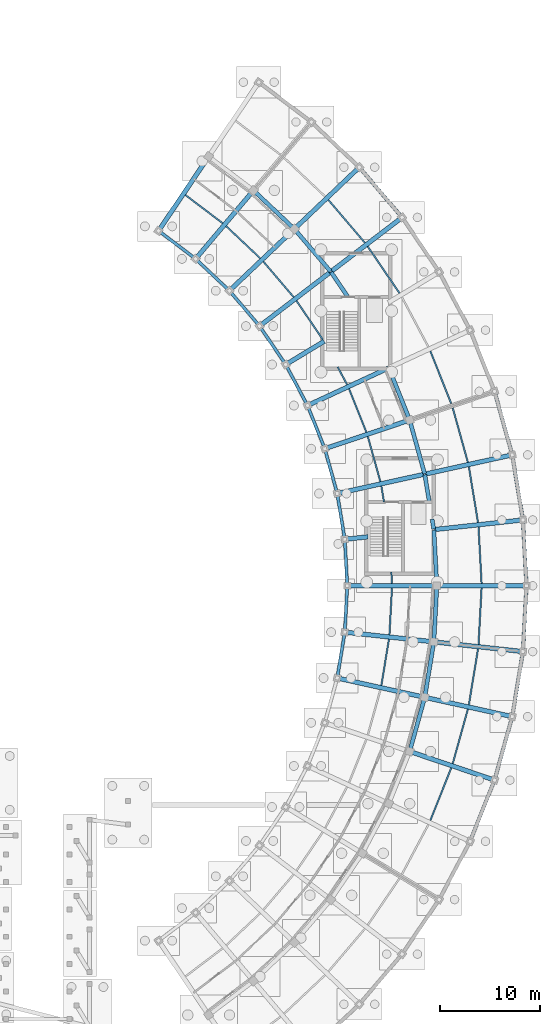
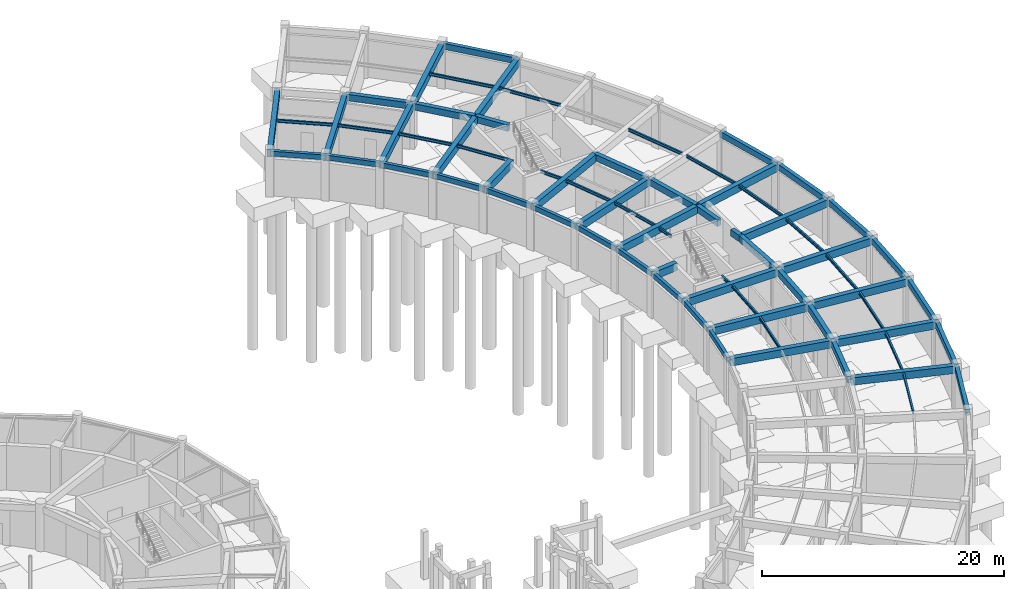
# One storey, part 16 of 42: 71 beams.
"""IFC4 building model written with IfcOpenShell, lengths in metres."""

from ifc_helpers import new_model, si_unit, direction, frame, origin, origin_2d, place, context, subcontext, project, spatial, rectangle, i_section, extrude, material, material_profile, profile_set, type_object, element, save


model = new_model("IFC4")

# Units and contexts
model_context = context("Model", 3, precision=1e-05, world=origin(), true_north=direction((0.0, 1.0)))
body_context = subcontext(model_context, "Body", "Model", "MODEL_VIEW")
ifc_project = project(units=[si_unit("LENGTHUNIT", "METRE"), si_unit("AREAUNIT", "SQUARE_METRE"), si_unit("VOLUMEUNIT", "CUBIC_METRE"), si_unit("PLANEANGLEUNIT", "RADIAN"), si_unit("MASSUNIT", "GRAM", prefix="KILO")], contexts=[model_context])

# Site, building, storey
site_placement = place(None, origin())
site = spatial("IfcSite", under=ifc_project, at=site_placement, CompositionType="ELEMENT")
building_placement = place(site_placement, origin())
building = spatial("IfcBuilding", under=site, at=building_placement, Name="Tarnveldt Headland Concert Hall", CompositionType="ELEMENT")
storey_placement = place(building_placement, frame((0.0, 0.0, -4.800048828125)))
storey = spatial("IfcBuildingStorey", under=building, at=storey_placement, Name="B1", CompositionType="ELEMENT", Elevation=-4.800048828125)

# Beams
ifc_material_1 = material(Name="Concrete C40/50", Category="concrete")
ifc_material_profile_1 = material_profile(ifc_material_1, rectangle(XDim=0.39990234375, YDim=0.64990234375, at=origin_2d()), Name="RC 400x650", Category="concrete")
ifc_profile_set_1 = profile_set([ifc_material_profile_1], Name="Concrete C40/50")
beam_type_1 = type_object("IfcBeamType", Name="CB-400x650", PredefinedType="BEAM", material=ifc_profile_set_1)
for number, where, z_axis, x_axis, name in (
    (1, (166.78076171875, 43.41455078125, 4.175048828125), (0.268165788284, 0.963372778313, 0.0), (-0.963372778313, 0.268165788284, 0.0), "Framing beam B1-127"),
    (2, (168.2880859375, 48.853515625, 4.175048828125), (0.16219127416, 0.986759337724, 0.0), (-0.986759337724, 0.16219127416, 0.0), "Framing beam B1-134"),
    (3, (169.197021484375, 54.423828125, 4.175048828125), (0.054224156809, 0.998528788177, 0.0), (-0.998528788177, 0.054224156809, 0.0), "Framing beam B1-141"),
    (4, (169.49658203125, 60.059814453125, 4.175048828125), (-0.054224156809, 0.998528788177, 0.0), (-0.998528788177, -0.054224156809, 0.0), "Framing beam B1-148"),
):
    element("IfcBeam", number, at=place(storey_placement, frame(where, z_axis=z_axis, x_axis=x_axis)), inside=storey, type_object=beam_type_1, Name=name, PredefinedType="BEAM", context=body_context, shape_type="SweptSolid", body=[
        extrude(rectangle(XDim=0.39990234375, YDim=0.64990234375, at=origin_2d()), origin(), (0.0, 0.0, 1.0), 5.5244140625),
    ])
beam_1_placement = place(storey_placement, frame((169.18408203125, 65.6953125, 4.175048828125), z_axis=(-0.16224524411, 0.986750465297, 0.0), x_axis=(-0.986750465297, -0.16224524411, 0.0)))
element("IfcBeam", 5, at=beam_1_placement, inside=storey, type_object=beam_type_1, Name="Framing beam B1-155", PredefinedType="BEAM", context=body_context, shape_type="SweptSolid", body=[
    extrude(rectangle(XDim=0.39990234375, YDim=0.64990234375, at=origin_2d()), origin(), (0.0, 0.0, 1.0), 1.01123046875),
])
beam_2_placement = place(storey_placement, frame((168.739501953125, 68.39990234375, 4.175048828125), z_axis=(-0.162179692028, 0.986761241382, 0.0), x_axis=(-0.986761241382, -0.162179692028, 0.0)))
element("IfcBeam", 6, at=beam_2_placement, inside=storey, type_object=beam_type_1, Name="Framing beam B1-156", PredefinedType="BEAM", context=body_context, shape_type="SweptSolid", body=[
    extrude(rectangle(XDim=0.39990234375, YDim=0.64990234375, at=origin_2d()), origin(), (0.0, 0.0, 1.0), 2.783447265625),
])
for number, where, z_axis, x_axis, name in (
    (7, (168.26220703125, 71.263427734375, 4.175048828125), (-0.268165788284, 0.963372778313, 0.0), (-0.963372778313, -0.268165788284, 0.0), "Framing beam B1-163"),
    (8, (166.7421875, 76.698974609375, 4.175048828125), (-0.370963937019, 0.928647272882, 0.0), (-0.928647272882, -0.370963937019, 0.0), "Framing beam B1-170"),
):
    element("IfcBeam", number, at=place(storey_placement, frame(where, z_axis=z_axis, x_axis=x_axis)), inside=storey, type_object=beam_type_1, Name=name, PredefinedType="BEAM", context=body_context, shape_type="SweptSolid", body=[
        extrude(rectangle(XDim=0.39990234375, YDim=0.64990234375, at=origin_2d()), origin(), (0.0, 0.0, 1.0), 5.5244140625),
    ])
beam_3_placement = place(storey_placement, frame((160.57080078125, 89.0, 4.175048828125), z_axis=(-0.562434400968, 0.826841910288, 0.0), x_axis=(-0.826841910288, -0.562434400968, 0.0)))
element("IfcBeam", 9, at=beam_3_placement, inside=storey, type_object=beam_type_1, Name="Framing beam B1-183", PredefinedType="BEAM", context=body_context, shape_type="SweptSolid", body=[
    extrude(rectangle(XDim=0.39990234375, YDim=0.64990234375, at=origin_2d()), origin(), (0.0, 0.0, 1.0), 3.00634765625),
])
for number, where, z_axis, x_axis, name in (
    (10, (158.807373046875, 91.581298828125, 4.175048828125), (-0.648725364662, 0.761022602322, 0.0), (-0.761022602322, -0.648725364662, 0.0), "Framing beam B1-190"),
    (11, (155.14111328125, 95.872314453125, 4.175048828125), (-0.727401560734, 0.686212044081, 0.0), (-0.686212044081, -0.727401560734, 0.0), "Framing beam B1-197"),
):
    element("IfcBeam", number, at=place(storey_placement, frame(where, z_axis=z_axis, x_axis=x_axis)), inside=storey, type_object=beam_type_1, Name=name, PredefinedType="BEAM", context=body_context, shape_type="SweptSolid", body=[
        extrude(rectangle(XDim=0.39990234375, YDim=0.64990234375, at=origin_2d()), origin(), (0.0, 0.0, 1.0), 5.524169921875),
    ])
ifc_material_profile_2 = material_profile(ifc_material_1, rectangle(XDim=0.449951171875, YDim=0.75, at=origin_2d()), Name="RC 450x750", Category="concrete")
ifc_profile_set_2 = profile_set([ifc_material_profile_2], Name="Concrete C40/50")
beam_type_2 = type_object("IfcBeamType", Name="CB-450x750", PredefinedType="BEAM", material=ifc_profile_set_2)
for number, where, z_axis, x_axis, name in (
    (12, (166.8212890625, 43.337646484375, 4.125), (0.947394358085, -0.320068633686, 0.0), (0.320068633686, 0.947394358085, 0.0), "Framing beam B1-125"),
    (13, (159.54833984375, 50.720947265625, 4.125), (0.976505569656, -0.215492163268, 0.0), (0.215492163268, 0.976505569656, 0.0), "Framing beam B1-131"),
    (14, (168.3369140625, 48.781494140625, 4.125), (0.976505569656, -0.215492163268, 0.0), (0.215492163268, 0.976505569656, 0.0), "Framing beam B1-132"),
):
    element("IfcBeam", number, at=place(storey_placement, frame(where, z_axis=z_axis, x_axis=x_axis)), inside=storey, type_object=beam_type_2, Name=name, PredefinedType="BEAM", context=body_context, shape_type="SweptSolid", body=[
        extrude(rectangle(XDim=0.449951171875, YDim=0.75, at=origin_2d()), origin(), (0.0, 0.0, 1.0), 8.880126953125),
    ])
for number, where, z_axis, x_axis, name in (
    (15, (160.306396484375, 55.3330078125, 4.125), (0.994109611255, -0.108379337562, 0.0), (0.108379337562, 0.994109611255, 0.0), "Framing beam B1-138"),
    (16, (169.25341796875, 54.357421875, 4.125), (0.994109611255, -0.108379337562, 0.0), (0.108379337562, 0.994109611255, 0.0), "Framing beam B1-139"),
    (17, (160.56005859375, 60.0, 4.125), (1.0, 0.0, 0.0), (0.0, 1.0, 0.0), "Framing beam B1-145"),
    (18, (169.56005859375, 60.0, 4.125), (1.0, 0.0, 0.0), (0.0, 1.0, 0.0), "Framing beam B1-146"),
):
    element("IfcBeam", number, at=place(storey_placement, frame(where, z_axis=z_axis, x_axis=x_axis)), inside=storey, type_object=beam_type_2, Name=name, PredefinedType="BEAM", context=body_context, shape_type="SweptSolid", body=[
        extrude(rectangle(XDim=0.449951171875, YDim=0.75, at=origin_2d()), origin(), (0.0, 0.0, 1.0), 8.8798828125),
    ])
beam_4_placement = place(storey_placement, frame((160.306396484375, 64.6669921875, 4.125), z_axis=(0.994101758136, 0.108451346104, 0.0), x_axis=(-0.108451346104, 0.994101758136, 0.0)))
element("IfcBeam", 19, at=beam_4_placement, inside=storey, type_object=beam_type_2, Name="Framing beam B1-152", PredefinedType="BEAM", context=body_context, shape_type="SweptSolid", body=[
    extrude(rectangle(XDim=0.449951171875, YDim=0.75, at=origin_2d()), origin(), (0.0, 0.0, 1.0), 2.287109375),
])
beam_5_placement = place(storey_placement, frame((169.25341796875, 65.642578125, 4.125), z_axis=(0.994109611255, 0.108379337562, 0.0), x_axis=(-0.108379337562, 0.994109611255, 0.0)))
element("IfcBeam", 20, at=beam_5_placement, inside=storey, type_object=beam_type_2, Name="Framing beam B1-153", PredefinedType="BEAM", context=body_context, shape_type="SweptSolid", body=[
    extrude(rectangle(XDim=0.449951171875, YDim=0.75, at=origin_2d()), origin(), (0.0, 0.0, 1.0), 8.8798828125),
])
for number, where, z_axis, x_axis, name in (
    (21, (159.54833984375, 69.279052734375, 4.125), (0.976505569656, 0.215492163268, 0.0), (-0.215492163268, 0.976505569656, 0.0), "Framing beam B1-160"),
    (22, (168.3369140625, 71.218505859375, 4.125), (0.976505569656, 0.215492163268, 0.0), (-0.215492163268, 0.976505569656, 0.0), "Framing beam B1-161"),
):
    element("IfcBeam", number, at=place(storey_placement, frame(where, z_axis=z_axis, x_axis=x_axis)), inside=storey, type_object=beam_type_2, Name=name, PredefinedType="BEAM", context=body_context, shape_type="SweptSolid", body=[
        extrude(rectangle(XDim=0.449951171875, YDim=0.75, at=origin_2d()), origin(), (0.0, 0.0, 1.0), 8.880126953125),
    ])
beam_6_placement = place(storey_placement, frame((158.294921875, 73.781982421875, 4.125), z_axis=(0.947399878297, 0.320052293545, 0.0), x_axis=(-0.320052293545, 0.947399878297, 0.0)))
element("IfcBeam", 23, at=beam_6_placement, inside=storey, type_object=beam_type_2, Name="Framing beam B1-167", PredefinedType="BEAM", context=body_context, shape_type="SweptSolid", body=[
    extrude(rectangle(XDim=0.449951171875, YDim=0.75, at=origin_2d()), origin(), (0.0, 0.0, 1.0), 8.8798828125),
])
beam_7_placement = place(storey_placement, frame((156.560791015625, 78.122314453125, 4.125), z_axis=(0.907136064141, 0.420837452153, 0.0), x_axis=(-0.420837452153, 0.907136064141, 0.0)))
element("IfcBeam", 24, at=beam_7_placement, inside=storey, type_object=beam_type_2, Name="Framing beam B1-174", PredefinedType="BEAM", context=body_context, shape_type="SweptSolid", body=[
    extrude(rectangle(XDim=0.449951171875, YDim=0.75, at=origin_2d()), origin(), (0.0, 0.0, 1.0), 8.880126953125),
])
beam_8_placement = place(storey_placement, frame((154.36669921875, 82.2490234375, 4.125), z_axis=(0.856145433593, 0.516734938375, 0.0), x_axis=(-0.516734938375, 0.856145433593, 0.0)))
element("IfcBeam", 25, at=beam_8_placement, inside=storey, type_object=beam_type_2, Name="Framing beam B1-180", PredefinedType="BEAM", context=body_context, shape_type="SweptSolid", body=[
    extrude(rectangle(XDim=0.449951171875, YDim=0.75, at=origin_2d()), origin(), (0.0, 0.0, 1.0), 4.453857421875),
])
beam_9_placement = place(storey_placement, frame((151.73779296875, 86.11376953125, 4.125), z_axis=(0.795127420909, 0.6064424, 0.0), x_axis=(-0.6064424, 0.795127420909, 0.0)))
element("IfcBeam", 26, at=beam_9_placement, inside=storey, type_object=beam_type_2, Name="Framing beam B1-187", PredefinedType="BEAM", context=body_context, shape_type="SweptSolid", body=[
    extrude(rectangle(XDim=0.449951171875, YDim=0.75, at=origin_2d()), origin(), (0.0, 0.0, 1.0), 8.880126953125),
])
beam_10_placement = place(storey_placement, frame((158.89404296875, 91.572021484375, 4.125), z_axis=(0.795130566959, 0.606438275084, 0.0), x_axis=(-0.606438275084, 0.795130566959, 0.0)))
element("IfcBeam", 27, at=beam_10_placement, inside=storey, type_object=beam_type_2, Name="Framing beam B1-188", PredefinedType="BEAM", context=body_context, shape_type="SweptSolid", body=[
    extrude(rectangle(XDim=0.449951171875, YDim=0.75, at=origin_2d()), origin(), (0.0, 0.0, 1.0), 8.879638671875),
])
for number, where, z_axis, x_axis, name in (
    (28, (148.705810546875, 89.6708984375, 4.125), (0.724698020854, 0.689066599517, 0.0), (-0.689066599517, 0.724698020854, 0.0), "Framing beam B1-194"),
    (29, (155.228271484375, 95.872314453125, 4.125), (0.724698020854, 0.689066599517, 0.0), (-0.689066599517, 0.724698020854, 0.0), "Framing beam B1-195"),
):
    element("IfcBeam", number, at=place(storey_placement, frame(where, z_axis=z_axis, x_axis=x_axis)), inside=storey, type_object=beam_type_2, Name=name, PredefinedType="BEAM", context=body_context, shape_type="SweptSolid", body=[
        extrude(rectangle(XDim=0.449951171875, YDim=0.75, at=origin_2d()), origin(), (0.0, 0.0, 1.0), 8.8798828125),
    ])
for number, where, z_axis, x_axis, name in (
    (30, (145.30615234375, 92.87841796875, 4.125), (0.645759819996, 0.763540604604, 0.0), (-0.763540604604, 0.645759819996, 0.0), "Framing beam B1-201"),
    (31, (141.578857421875, 95.6982421875, 4.125), (0.559177704886, 0.829047823927, 0.0), (-0.829047823927, 0.559177704886, 0.0), "Framing beam B1-208"),
):
    element("IfcBeam", number, at=place(storey_placement, frame(where, z_axis=z_axis, x_axis=x_axis)), inside=storey, type_object=beam_type_2, Name=name, PredefinedType="BEAM", context=body_context, shape_type="SweptSolid", body=[
        extrude(rectangle(XDim=0.449951171875, YDim=0.75, at=origin_2d()), origin(), (0.0, 0.0, 1.0), 8.880126953125),
    ])
ifc_material_2 = material(Name="Steel S355", Category="steel")
ifc_material_profile_3 = material_profile(ifc_material_2, i_section(OverallWidth=0.14990234375, OverallDepth=0.300048828125, WebThickness=0.007080078125, FlangeThickness=0.0107421875, FilletRadius=0.014892578125, at=origin_2d()), Name="IPE300", Category="steel")
ifc_profile_set_3 = profile_set([ifc_material_profile_3], Name="Steel S355")
beam_type_3 = type_object("IfcBeamType", Name="SB-IPE300", PredefinedType="JOIST", material=ifc_profile_set_3)
beam_11_placement = place(storey_placement, frame((168.836181640625, 36.430419921875, 4.35009765625), z_axis=(0.370983235335, 0.928639563609, 0.0), x_axis=(-0.928639563609, 0.370983235335, 0.0)))
element("IfcBeam", 32, at=beam_11_placement, inside=storey, type_object=beam_type_3, Name="Framing beam B1-123", PredefinedType="JOIST", context=body_context, shape_type="SweptSolid", body=[
    extrude(i_section(OverallWidth=0.14990234375, OverallDepth=0.300048828125, WebThickness=0.007080078125, FlangeThickness=0.0107421875, FilletRadius=0.014892578125, at=origin_2d()), origin(), (0.0, 0.0, 1.0), 5.6826171875),
])
beam_12_placement = place(storey_placement, frame((171.088134765625, 42.13330078125, 4.35009765625), z_axis=(0.268206621843, 0.963361410894, 0.0), x_axis=(-0.963361410894, 0.268206621843, 0.0)))
element("IfcBeam", 33, at=beam_12_placement, inside=storey, type_object=beam_type_3, Name="Framing beam B1-130", PredefinedType="JOIST", context=body_context, shape_type="SweptSolid", body=[
    extrude(i_section(OverallWidth=0.14990234375, OverallDepth=0.300048828125, WebThickness=0.007080078125, FlangeThickness=0.0107421875, FilletRadius=0.014892578125, at=origin_2d()), origin(), (0.0, 0.0, 1.0), 5.682861328125),
])
beam_13_placement = place(storey_placement, frame((163.92041015625, 49.986083984375, 4.35009765625), z_axis=(0.162177536694, 0.986761595621, 0.0), x_axis=(-0.986761595621, 0.162177536694, 0.0)))
element("IfcBeam", 34, at=beam_13_placement, inside=storey, type_object=beam_type_3, Name="Framing beam B1-136", PredefinedType="JOIST", context=body_context, shape_type="SweptSolid", body=[
    extrude(i_section(OverallWidth=0.14990234375, OverallDepth=0.300048828125, WebThickness=0.007080078125, FlangeThickness=0.0107421875, FilletRadius=0.014892578125, at=origin_2d()), origin(), (0.0, 0.0, 1.0), 4.705810546875),
])
beam_14_placement = place(storey_placement, frame((172.708984375, 48.046630859375, 4.35009765625), z_axis=(0.16217623031, 0.986761810328, 0.0), x_axis=(-0.986761810328, 0.16217623031, 0.0)))
element("IfcBeam", 35, at=beam_14_placement, inside=storey, type_object=beam_type_3, Name="Framing beam B1-137", PredefinedType="JOIST", context=body_context, shape_type="SweptSolid", body=[
    extrude(i_section(OverallWidth=0.14990234375, OverallDepth=0.300048828125, WebThickness=0.007080078125, FlangeThickness=0.0107421875, FilletRadius=0.014892578125, at=origin_2d()), origin(), (0.0, 0.0, 1.0), 5.682861328125),
])
beam_15_placement = place(storey_placement, frame((164.732421875, 55.076416015625, 4.35009765625), z_axis=(0.054266053499, 0.998526512136, 0.0), x_axis=(-0.998526512136, 0.054266053499, 0.0)))
element("IfcBeam", 36, at=beam_15_placement, inside=storey, type_object=beam_type_3, Name="Framing beam B1-143", PredefinedType="JOIST", context=body_context, shape_type="SweptSolid", body=[
    extrude(i_section(OverallWidth=0.14990234375, OverallDepth=0.300048828125, WebThickness=0.007080078125, FlangeThickness=0.0107421875, FilletRadius=0.014892578125, at=origin_2d()), origin(), (0.0, 0.0, 1.0), 4.705810546875),
])
beam_16_placement = place(storey_placement, frame((173.679443359375, 54.10107421875, 4.35009765625), z_axis=(0.054261221773, 0.998526774709, 0.0), x_axis=(-0.998526774709, 0.054261221773, 0.0)))
element("IfcBeam", 37, at=beam_16_placement, inside=storey, type_object=beam_type_3, Name="Framing beam B1-144", PredefinedType="JOIST", context=body_context, shape_type="SweptSolid", body=[
    extrude(i_section(OverallWidth=0.14990234375, OverallDepth=0.300048828125, WebThickness=0.007080078125, FlangeThickness=0.0107421875, FilletRadius=0.014892578125, at=origin_2d()), origin(), (0.0, 0.0, 1.0), 5.6826171875),
])
beam_17_placement = place(storey_placement, frame((164.98779296875, 60.224609375, 4.35009765625), z_axis=(-0.054231149822, 0.998528408404, 0.0), x_axis=(-0.998528408404, -0.054231149822, 0.0)))
element("IfcBeam", 38, at=beam_17_placement, inside=storey, type_object=beam_type_3, Name="Framing beam B1-150", PredefinedType="JOIST", context=body_context, shape_type="SweptSolid", body=[
    extrude(i_section(OverallWidth=0.14990234375, OverallDepth=0.300048828125, WebThickness=0.007080078125, FlangeThickness=0.0107421875, FilletRadius=0.014892578125, at=origin_2d()), origin(), (0.0, 0.0, 1.0), 1.156982421875),
])
beam_18_placement = place(storey_placement, frame((173.98779296875, 60.224609375, 4.35009765625), z_axis=(-0.054261221773, 0.998526774709, 0.0), x_axis=(-0.998526774709, -0.054261221773, 0.0)))
element("IfcBeam", 39, at=beam_18_placement, inside=storey, type_object=beam_type_3, Name="Framing beam B1-151", PredefinedType="JOIST", context=body_context, shape_type="SweptSolid", body=[
    extrude(i_section(OverallWidth=0.14990234375, OverallDepth=0.300048828125, WebThickness=0.007080078125, FlangeThickness=0.0107421875, FilletRadius=0.014892578125, at=origin_2d()), origin(), (0.0, 0.0, 1.0), 5.6826171875),
])
beam_19_placement = place(storey_placement, frame((164.185791015625, 68.39990234375, 4.35009765625), z_axis=(-0.162244426252, 0.986750599772, 0.0), x_axis=(-0.986750599772, -0.162244426252, 0.0)))
element("IfcBeam", 40, at=beam_19_placement, inside=storey, type_object=beam_type_3, Name="Framing beam B1-158", PredefinedType="JOIST", context=body_context, shape_type="SweptSolid", body=[
    extrude(i_section(OverallWidth=0.14990234375, OverallDepth=0.300048828125, WebThickness=0.007080078125, FlangeThickness=0.0107421875, FilletRadius=0.014892578125, at=origin_2d()), origin(), (0.0, 0.0, 1.0), 1.6357421875),
])
beam_20_placement = place(storey_placement, frame((173.630615234375, 66.345703125, 4.35009765625), z_axis=(-0.16217623031, 0.986761810328, 0.0), x_axis=(-0.986761810328, -0.16217623031, 0.0)))
element("IfcBeam", 41, at=beam_20_placement, inside=storey, type_object=beam_type_3, Name="Framing beam B1-159", PredefinedType="JOIST", context=body_context, shape_type="SweptSolid", body=[
    extrude(i_section(OverallWidth=0.14990234375, OverallDepth=0.300048828125, WebThickness=0.007080078125, FlangeThickness=0.0107421875, FilletRadius=0.014892578125, at=origin_2d()), origin(), (0.0, 0.0, 1.0), 5.682861328125),
])
beam_21_placement = place(storey_placement, frame((163.82373046875, 70.45263671875, 4.35009765625), z_axis=(-0.268219103266, 0.96335793589, 0.0), x_axis=(-0.96335793589, -0.268219103266, 0.0)))
element("IfcBeam", 42, at=beam_21_placement, inside=storey, type_object=beam_type_3, Name="Framing beam B1-165", PredefinedType="JOIST", context=body_context, shape_type="SweptSolid", body=[
    extrude(i_section(OverallWidth=0.14990234375, OverallDepth=0.300048828125, WebThickness=0.007080078125, FlangeThickness=0.0107421875, FilletRadius=0.014892578125, at=origin_2d()), origin(), (0.0, 0.0, 1.0), 4.705810546875),
])
beam_22_placement = place(storey_placement, frame((172.6123046875, 72.39208984375, 4.35009765625), z_axis=(-0.268206621843, 0.963361410894, 0.0), x_axis=(-0.963361410894, -0.268206621843, 0.0)))
element("IfcBeam", 43, at=beam_22_placement, inside=storey, type_object=beam_type_3, Name="Framing beam B1-166", PredefinedType="JOIST", context=body_context, shape_type="SweptSolid", body=[
    extrude(i_section(OverallWidth=0.14990234375, OverallDepth=0.300048828125, WebThickness=0.007080078125, FlangeThickness=0.0107421875, FilletRadius=0.014892578125, at=origin_2d()), origin(), (0.0, 0.0, 1.0), 5.682861328125),
])
beam_23_placement = place(storey_placement, frame((162.417724609375, 75.411865234375, 4.35009765625), z_axis=(-0.370943390212, 0.92865548039, 0.0), x_axis=(-0.92865548039, -0.370943390212, 0.0)))
element("IfcBeam", 44, at=beam_23_placement, inside=storey, type_object=beam_type_3, Name="Framing beam B1-172", PredefinedType="JOIST", context=body_context, shape_type="SweptSolid", body=[
    extrude(i_section(OverallWidth=0.14990234375, OverallDepth=0.300048828125, WebThickness=0.007080078125, FlangeThickness=0.0107421875, FilletRadius=0.014892578125, at=origin_2d()), origin(), (0.0, 0.0, 1.0), 4.705810546875),
])
beam_24_placement = place(storey_placement, frame((170.9443359375, 78.29248046875, 4.35009765625), z_axis=(-0.370983235335, 0.928639563609, 0.0), x_axis=(-0.928639563609, -0.370983235335, 0.0)))
element("IfcBeam", 45, at=beam_24_placement, inside=storey, type_object=beam_type_3, Name="Framing beam B1-173", PredefinedType="JOIST", context=body_context, shape_type="SweptSolid", body=[
    extrude(i_section(OverallWidth=0.14990234375, OverallDepth=0.300048828125, WebThickness=0.007080078125, FlangeThickness=0.0107421875, FilletRadius=0.014892578125, at=origin_2d()), origin(), (0.0, 0.0, 1.0), 5.6826171875),
])
beam_25_placement = place(storey_placement, frame((160.48291015625, 80.189453125, 4.35009765625), z_axis=(-0.469513142254, 0.882925483408, 0.0), x_axis=(-0.882925483408, -0.469513142254, 0.0)))
element("IfcBeam", 46, at=beam_25_placement, inside=storey, type_object=beam_type_3, Name="Framing beam B1-178", PredefinedType="JOIST", context=body_context, shape_type="SweptSolid", body=[
    extrude(i_section(OverallWidth=0.14990234375, OverallDepth=0.300048828125, WebThickness=0.007080078125, FlangeThickness=0.0107421875, FilletRadius=0.014892578125, at=origin_2d()), origin(), (0.0, 0.0, 1.0), 2.02783203125),
])
beam_26_placement = place(storey_placement, frame((158.04150390625, 84.729248046875, 4.35009765625), z_axis=(-0.562422118393, 0.826850265007, 0.0), x_axis=(-0.826850265007, -0.562422118393, 0.0)))
element("IfcBeam", 47, at=beam_26_placement, inside=storey, type_object=beam_type_3, Name="Framing beam B1-185", PredefinedType="JOIST", context=body_context, shape_type="SweptSolid", body=[
    extrude(i_section(OverallWidth=0.14990234375, OverallDepth=0.300048828125, WebThickness=0.007080078125, FlangeThickness=0.0107421875, FilletRadius=0.014892578125, at=origin_2d()), origin(), (0.0, 0.0, 1.0), 4.7060546875),
])
beam_27_placement = place(storey_placement, frame((165.746826171875, 89.37939453125, 4.35009765625), z_axis=(-0.562379346424, 0.826879356808, 0.0), x_axis=(-0.826879356808, -0.562379346424, 0.0)))
element("IfcBeam", 48, at=beam_27_placement, inside=storey, type_object=beam_type_3, Name="Framing beam B1-186", PredefinedType="JOIST", context=body_context, shape_type="SweptSolid", body=[
    extrude(i_section(OverallWidth=0.14990234375, OverallDepth=0.300048828125, WebThickness=0.007080078125, FlangeThickness=0.0107421875, FilletRadius=0.014892578125, at=origin_2d()), origin(), (0.0, 0.0, 1.0), 5.68310546875),
])
beam_28_placement = place(storey_placement, frame((155.122314453125, 88.9775390625, 4.35009765625), z_axis=(-0.648686890774, 0.761055397286, 0.0), x_axis=(-0.761055397286, -0.648686890774, 0.0)))
element("IfcBeam", 49, at=beam_28_placement, inside=storey, type_object=beam_type_3, Name="Framing beam B1-192", PredefinedType="JOIST", context=body_context, shape_type="SweptSolid", body=[
    extrude(i_section(OverallWidth=0.14990234375, OverallDepth=0.300048828125, WebThickness=0.007080078125, FlangeThickness=0.0107421875, FilletRadius=0.014892578125, at=origin_2d()), origin(), (0.0, 0.0, 1.0), 4.7060546875),
])
beam_29_placement = place(storey_placement, frame((162.2783203125, 94.435791015625, 4.35009765625), z_axis=(-0.64872275513, 0.76102482678, 0.0), x_axis=(-0.76102482678, -0.64872275513, 0.0)))
element("IfcBeam", 50, at=beam_29_placement, inside=storey, type_object=beam_type_3, Name="Framing beam B1-193", PredefinedType="JOIST", context=body_context, shape_type="SweptSolid", body=[
    extrude(i_section(OverallWidth=0.14990234375, OverallDepth=0.300048828125, WebThickness=0.007080078125, FlangeThickness=0.0107421875, FilletRadius=0.014892578125, at=origin_2d()), origin(), (0.0, 0.0, 1.0), 5.682861328125),
])
beam_30_placement = place(storey_placement, frame((151.760009765625, 92.884521484375, 4.35009765625), z_axis=(-0.727377040492, 0.686238035207, 0.0), x_axis=(-0.686238035207, -0.727377040492, 0.0)))
element("IfcBeam", 51, at=beam_30_placement, inside=storey, type_object=beam_type_3, Name="Framing beam B1-199", PredefinedType="JOIST", context=body_context, shape_type="SweptSolid", body=[
    extrude(i_section(OverallWidth=0.14990234375, OverallDepth=0.300048828125, WebThickness=0.007080078125, FlangeThickness=0.0107421875, FilletRadius=0.014892578125, at=origin_2d()), origin(), (0.0, 0.0, 1.0), 4.7060546875),
])
beam_31_placement = place(storey_placement, frame((147.993896484375, 96.404296875, 4.35009765625), z_axis=(-0.797483973643, 0.603340129432, 0.0), x_axis=(-0.603340129432, -0.797483973643, 0.0)))
element("IfcBeam", 52, at=beam_31_placement, inside=storey, type_object=beam_type_3, Name="Framing beam B1-206", PredefinedType="JOIST", context=body_context, shape_type="SweptSolid", body=[
    extrude(i_section(OverallWidth=0.14990234375, OverallDepth=0.300048828125, WebThickness=0.007080078125, FlangeThickness=0.0107421875, FilletRadius=0.014892578125, at=origin_2d()), origin(), (0.0, 0.0, 1.0), 4.70556640625),
])
ifc_material_profile_4 = material_profile(ifc_material_1, rectangle(XDim=0.300048828125, YDim=0.5, at=origin_2d()), Name="RC SPANDREL 300x500", Category="concrete")
ifc_profile_set_4 = profile_set([ifc_material_profile_4], Name="Concrete C40/50")
beam_type_4 = type_object("IfcBeamType", Name="SP-300x500", PredefinedType="SPANDREL", material=ifc_profile_set_4)
beam_32_placement = place(storey_placement, frame((159.49951171875, 50.79296875, 4.25), z_axis=(0.162187266023, 0.986759996524, 0.0), x_axis=(-0.986759996524, 0.162187266023, 0.0)))
element("IfcBeam", 53, at=beam_32_placement, inside=storey, type_object=beam_type_4, Name="Framing beam B1-133", PredefinedType="SPANDREL", context=body_context, shape_type="SweptSolid", body=[
    extrude(rectangle(XDim=0.300048828125, YDim=0.5, at=origin_2d()), origin(), (0.0, 0.0, 1.0), 4.547607421875),
])
for number, where, z_axis, x_axis, name in (
    (54, (160.25, 55.3994140625, 4.25), (0.05422410232, 0.998528791136, 0.0), (-0.998528791136, 0.05422410232, 0.0), "Framing beam B1-140"),
    (55, (160.49658203125, 60.059814453125, 4.25), (-0.05422410232, 0.998528791136, 0.0), (-0.998528791136, -0.05422410232, 0.0), "Framing beam B1-147"),
):
    element("IfcBeam", number, at=place(storey_placement, frame(where, z_axis=z_axis, x_axis=x_axis)), inside=storey, type_object=beam_type_4, Name=name, PredefinedType="SPANDREL", context=body_context, shape_type="SweptSolid", body=[
        extrude(rectangle(XDim=0.300048828125, YDim=0.5, at=origin_2d()), origin(), (0.0, 0.0, 1.0), 4.54736328125),
    ])
beam_33_placement = place(storey_placement, frame((160.237060546875, 64.7197265625, 4.25), z_axis=(-0.162187266023, 0.986759996524, 0.0), x_axis=(-0.986759996524, -0.162187266023, 0.0)))
element("IfcBeam", 56, at=beam_33_placement, inside=storey, type_object=beam_type_4, Name="Framing beam B1-154", PredefinedType="SPANDREL", context=body_context, shape_type="SweptSolid", body=[
    extrude(rectangle(XDim=0.300048828125, YDim=0.5, at=origin_2d()), origin(), (0.0, 0.0, 1.0), 4.547607421875),
])
for number, where, z_axis, x_axis, name in (
    (57, (159.4736328125, 69.323974609375, 4.25), (-0.268169932327, 0.963371624761, 0.0), (-0.963371624761, -0.268169932327, 0.0), "Framing beam B1-162"),
    (58, (158.2158203125, 73.818359375, 4.25), (-0.370983353144, 0.928639516546, 0.0), (-0.928639516546, -0.370983353144, 0.0), "Framing beam B1-169"),
    (59, (156.478271484375, 78.14990234375, 4.25), (-0.469450914916, 0.882958571216, 0.0), (-0.882958571216, -0.469450914916, 0.0), "Framing beam B1-176"),
):
    element("IfcBeam", number, at=place(storey_placement, frame(where, z_axis=z_axis, x_axis=x_axis)), inside=storey, type_object=beam_type_4, Name=name, PredefinedType="SPANDREL", context=body_context, shape_type="SweptSolid", body=[
        extrude(rectangle(XDim=0.300048828125, YDim=0.5, at=origin_2d()), origin(), (0.0, 0.0, 1.0), 4.54736328125),
    ])
beam_34_placement = place(storey_placement, frame((154.281494140625, 82.267578125, 4.25), z_axis=(-0.562406932975, 0.826860593898, 0.0), x_axis=(-0.826860593898, -0.562406932975, 0.0)))
element("IfcBeam", 60, at=beam_34_placement, inside=storey, type_object=beam_type_4, Name="Framing beam B1-182", PredefinedType="SPANDREL", context=body_context, shape_type="SweptSolid", body=[
    extrude(rectangle(XDim=0.300048828125, YDim=0.5, at=origin_2d()), origin(), (0.0, 0.0, 1.0), 4.547607421875),
])
beam_35_placement = place(storey_placement, frame((151.6513671875, 86.123046875, 4.25), z_axis=(-0.648715315983, 0.761031168093, 0.0), x_axis=(-0.761031168093, -0.648715315983, 0.0)))
element("IfcBeam", 61, at=beam_35_placement, inside=storey, type_object=beam_type_4, Name="Framing beam B1-189", PredefinedType="SPANDREL", context=body_context, shape_type="SweptSolid", body=[
    extrude(rectangle(XDim=0.300048828125, YDim=0.5, at=origin_2d()), origin(), (0.0, 0.0, 1.0), 4.54736328125),
])
beam_36_placement = place(storey_placement, frame((148.618896484375, 89.670654296875, 4.25), z_axis=(-0.72739567497, 0.686218283081, 0.0), x_axis=(-0.686218283081, -0.72739567497, 0.0)))
element("IfcBeam", 62, at=beam_36_placement, inside=storey, type_object=beam_type_4, Name="Framing beam B1-196", PredefinedType="SPANDREL", context=body_context, shape_type="SweptSolid", body=[
    extrude(rectangle(XDim=0.300048828125, YDim=0.5, at=origin_2d()), origin(), (0.0, 0.0, 1.0), 4.547607421875),
])
beam_37_placement = place(storey_placement, frame((145.219482421875, 92.86865234375, 4.25), z_axis=(-0.797480390637, 0.603344865355, 0.0), x_axis=(-0.603344865355, -0.797480390637, 0.0)))
element("IfcBeam", 63, at=beam_37_placement, inside=storey, type_object=beam_type_4, Name="Framing beam B1-203", PredefinedType="SPANDREL", context=body_context, shape_type="SweptSolid", body=[
    extrude(rectangle(XDim=0.300048828125, YDim=0.5, at=origin_2d()), origin(), (0.0, 0.0, 1.0), 4.54736328125),
])
ifc_material_profile_5 = material_profile(ifc_material_1, rectangle(XDim=0.35009765625, YDim=0.60009765625, at=origin_2d()), Name="RC SPANDREL 350x600", Category="concrete")
ifc_profile_set_5 = profile_set([ifc_material_profile_5], Name="Concrete C40/50")
beam_type_5 = type_object("IfcBeamType", Name="SP-350x600", PredefinedType="SPANDREL", material=ifc_profile_set_5)
beam_38_placement = place(storey_placement, frame((172.85693359375, 34.38330078125, 4.199951171875), z_axis=(0.370995678575, 0.928634592549, 0.0), x_axis=(-0.928634592549, 0.370995678575, 0.0)))
element("IfcBeam", 64, at=beam_38_placement, inside=storey, type_object=beam_type_5, Name="Framing beam B1-121", PredefinedType="SPANDREL", context=body_context, shape_type="SweptSolid", body=[
    extrude(rectangle(XDim=0.35009765625, YDim=0.60009765625, at=origin_2d()), origin(), (0.0, 0.0, 1.0), 6.5009765625),
])
beam_39_placement = place(storey_placement, frame((175.307373046875, 40.533935546875, 4.199951171875), z_axis=(0.268162889674, 0.963373585169, 0.0), x_axis=(-0.963373585169, 0.268162889674, 0.0)))
element("IfcBeam", 65, at=beam_39_placement, inside=storey, type_object=beam_type_5, Name="Framing beam B1-128", PredefinedType="SPANDREL", context=body_context, shape_type="SweptSolid", body=[
    extrude(rectangle(XDim=0.35009765625, YDim=0.60009765625, at=origin_2d()), origin(), (0.0, 0.0, 1.0), 6.501220703125),
])
beam_40_placement = place(storey_placement, frame((177.076416015625, 46.9140625, 4.199951171875), z_axis=(0.162188067735, 0.986759864752, 0.0), x_axis=(-0.986759864752, 0.162188067735, 0.0)))
element("IfcBeam", 66, at=beam_40_placement, inside=storey, type_object=beam_type_5, Name="Framing beam B1-135", PredefinedType="SPANDREL", context=body_context, shape_type="SweptSolid", body=[
    extrude(rectangle(XDim=0.35009765625, YDim=0.60009765625, at=origin_2d()), origin(), (0.0, 0.0, 1.0), 6.50146484375),
])
for number, where, z_axis, x_axis, name in (
    (67, (178.143798828125, 53.448486328125, 4.199951171875), (0.054263670447, 0.998526641642, 0.0), (-0.998526641642, 0.054263670447, 0.0), "Framing beam B1-142"),
    (68, (178.49658203125, 60.059814453125, 4.199951171875), (-0.054263670447, 0.998526641642, 0.0), (-0.998526641642, -0.054263670447, 0.0), "Framing beam B1-149"),
):
    element("IfcBeam", number, at=place(storey_placement, frame(where, z_axis=z_axis, x_axis=x_axis)), inside=storey, type_object=beam_type_5, Name=name, PredefinedType="SPANDREL", context=body_context, shape_type="SweptSolid", body=[
        extrude(rectangle(XDim=0.35009765625, YDim=0.60009765625, at=origin_2d()), origin(), (0.0, 0.0, 1.0), 6.501220703125),
    ])
beam_41_placement = place(storey_placement, frame((178.130859375, 66.670654296875, 4.199951171875), z_axis=(-0.162188067735, 0.986759864752, 0.0), x_axis=(-0.986759864752, -0.162188067735, 0.0)))
element("IfcBeam", 69, at=beam_41_placement, inside=storey, type_object=beam_type_5, Name="Framing beam B1-157", PredefinedType="SPANDREL", context=body_context, shape_type="SweptSolid", body=[
    extrude(rectangle(XDim=0.35009765625, YDim=0.60009765625, at=origin_2d()), origin(), (0.0, 0.0, 1.0), 6.50146484375),
])
beam_42_placement = place(storey_placement, frame((177.05078125, 73.202880859375, 4.199951171875), z_axis=(-0.268162889674, 0.963373585169, 0.0), x_axis=(-0.963373585169, -0.268162889674, 0.0)))
element("IfcBeam", 70, at=beam_42_placement, inside=storey, type_object=beam_type_5, Name="Framing beam B1-164", PredefinedType="SPANDREL", context=body_context, shape_type="SweptSolid", body=[
    extrude(rectangle(XDim=0.35009765625, YDim=0.60009765625, at=origin_2d()), origin(), (0.0, 0.0, 1.0), 6.501220703125),
])
beam_43_placement = place(storey_placement, frame((165.96337890625, 97.039306640625, 4.199951171875), z_axis=(-0.648710643709, 0.761035150791, 0.0), x_axis=(-0.761035150791, -0.648710643709, 0.0)))
element("IfcBeam", 71, at=beam_43_placement, inside=storey, type_object=beam_type_5, Name="Framing beam B1-191", PredefinedType="SPANDREL", context=body_context, shape_type="SweptSolid", body=[
    extrude(rectangle(XDim=0.35009765625, YDim=0.60009765625, at=origin_2d()), origin(), (0.0, 0.0, 1.0), 6.5009765625),
])

save(model, "model.ifc")
